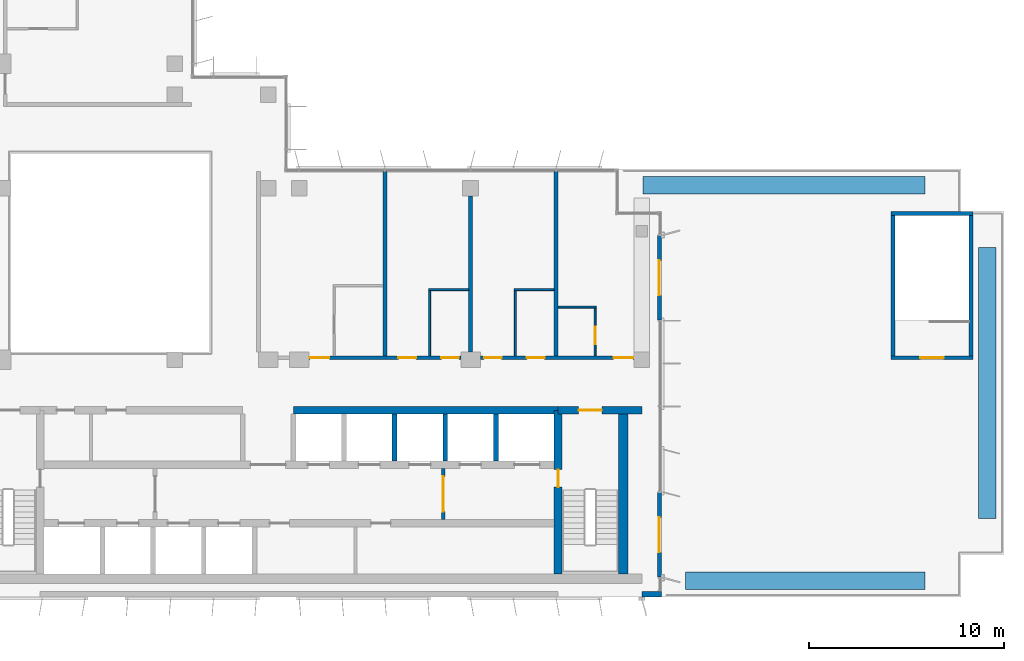
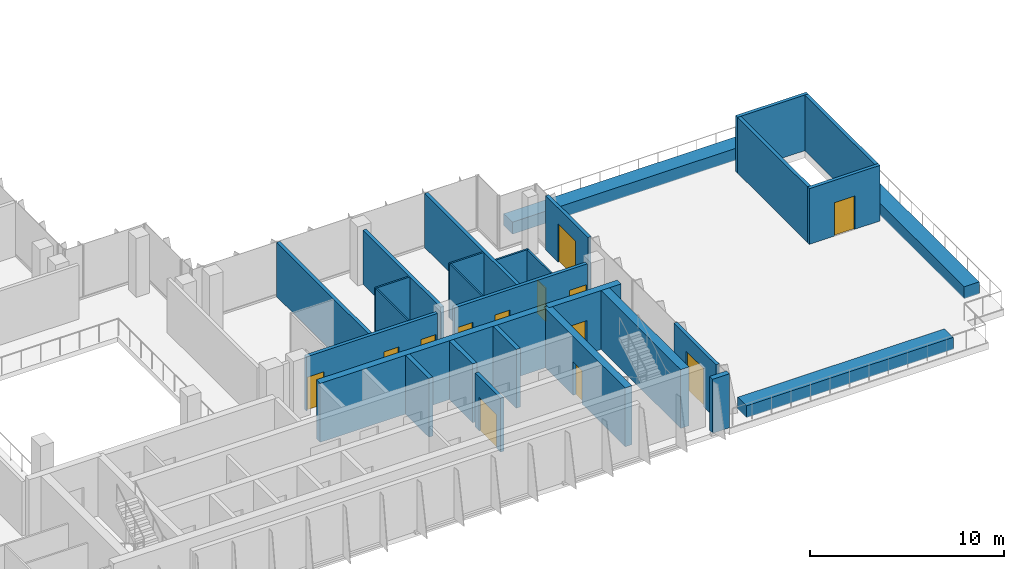
# One storey, part 11 of 17: 29 walls, 13 doors, 13 openings.
"""IFC4 building model written with IfcOpenShell, lengths in metres."""

from ifc_helpers import new_model, si_unit, direction, frame, frame_2d, origin, place, context, subcontext, project, spatial, rectangle, extrude, material, layer, layer_set, type_object, element, fill, save


model = new_model("IFC4")

# Units and contexts
model_context = context("Model", 3, precision=1e-05, world=origin(), true_north=direction((0.0, 1.0)))
body_context = subcontext(model_context, "Body", "Model", "MODEL_VIEW")
ifc_project = project(units=[si_unit("LENGTHUNIT", "METRE"), si_unit("AREAUNIT", "SQUARE_METRE"), si_unit("VOLUMEUNIT", "CUBIC_METRE"), si_unit("PLANEANGLEUNIT", "RADIAN"), si_unit("MASSUNIT", "GRAM", prefix="KILO")], contexts=[model_context])

# Site, building, storey
site_placement = place(None, origin())
site = spatial("IfcSite", under=ifc_project, at=site_placement, CompositionType="ELEMENT")
building_placement = place(site_placement, origin())
building = spatial("IfcBuilding", under=site, at=building_placement, Name="Kemantara Hotel Tower", CompositionType="ELEMENT")
storey_placement = place(building_placement, frame((0.0, 0.0, 222.800048828125)))
storey = spatial("IfcBuildingStorey", under=building, at=storey_placement, Name="L55", CompositionType="ELEMENT", Elevation=222.800048828125)

# Walls
ifc_material_1 = material(Name="Bronze anodised aluminium cladding on insulated steel stud wall", Category="steel")
ifc_layer_1 = layer(ifc_material_1, 0.300048828125)
ifc_layer_set_1 = layer_set([ifc_layer_1], Name="Bronze anodised aluminium cladding on insulated steel stud wall")
wall_type_1 = type_object("IfcWallType", Name="BRONZE METAL-CLAD EXTERNAL WALL 300", PredefinedType="STANDARD", material=ifc_layer_set_1)
wall_1_placement = place(storey_placement, frame((45.0, 0.14990234375, 0.0), z_axis=(0.0, 0.0, 1.0), x_axis=(1.0, 0.0, 0.0)))
element("IfcWall", 1, at=wall_1_placement, inside=storey, type_object=wall_type_1, Name="EXTERNAL WALL L55 T4-R08-3", PredefinedType="STANDARD", context=body_context, shape_type="SweptSolid", body=[
    extrude(rectangle(XDim=1.0, YDim=0.300048828125, at=frame_2d((0.5, 0.0))), origin(), (0.0, 0.0, 1.0), 3.39990234375),
])
ifc_material_2 = material(Name="Concrete fc 60 MPa", Category="concrete")
ifc_layer_2 = layer(ifc_material_2, 0.25)
ifc_layer_set_2 = layer_set([ifc_layer_2], Name="Concrete fc 60 MPa")
wall_type_2 = type_object("IfcWallType", Name="CORE WALL 250 FC60", PredefinedType="SHEAR", material=ifc_layer_set_2)
for number, where, z_axis, x_axis, name in (
    (2, (32.300048828125, 7.0, 0.0), (0.0, 0.0, 1.0), (0.0, 1.0, 0.0), "CORE WALL CW-DN32.3"),
    (3, (34.89990234375, 7.0, 0.0), (0.0, 0.0, 1.0), (0.0, 1.0, 0.0), "CORE WALL CW-DN34.9"),
    (4, (37.5, 7.0, 0.0), (0.0, 0.0, 1.0), (0.0, 1.0, 0.0), "CORE WALL CW-DN37.5"),
):
    element("IfcWall", number, at=place(storey_placement, frame(where, z_axis=z_axis, x_axis=x_axis)), inside=storey, type_object=wall_type_2, Name=name, PredefinedType="SHEAR", context=body_context, shape_type="SweptSolid", body=[
        extrude(rectangle(XDim=2.39990234375, YDim=0.25, at=frame_2d((1.199951171875, 0.0))), origin(), (0.0, 0.0, 1.0), 3.699951171875),
    ])

# Wall, opening, door
ifc_layer_3 = layer(ifc_material_2, 0.39990234375)
ifc_layer_set_3 = layer_set([ifc_layer_3], Name="Concrete fc 60 MPa")
wall_type_3 = type_object("IfcWallType", Name="CORE WALL 400 FC60", PredefinedType="SHEAR", material=ifc_layer_set_3)
wall_2_placement = place(storey_placement, frame((40.699951171875, 9.60009765625, 0.0), z_axis=(0.0, 0.0, 1.0), x_axis=(1.0, 0.0, 0.0)))
wall_2 = element("IfcWall", 5, at=wall_2_placement, inside=storey, type_object=wall_type_3, Name="CORE WALL CW-N2", PredefinedType="SHEAR", context=body_context, shape_type="SweptSolid", body=[
    extrude(rectangle(XDim=4.300048828125, YDim=0.39990234375, at=frame_2d((2.14990234375, 0.0))), origin(), (0.0, 0.0, 1.0), 3.699951171875),
])
opening_1_placement = place(wall_2_placement, frame((1.050048828125, 0.0, 0.0)))
opening_1 = element("IfcOpeningElement", 6, at=opening_1_placement, cuts=wall_2, Name="Opening C34-ST2-C", PredefinedType="OPENING", context=body_context, shape_type="SweptSolid", body=[
    extrude(rectangle(XDim=1.199951171875, YDim=2.10009765625, at=frame_2d((0.60009765625, 1.050048828125))), frame((0.0, 0.2099609375, 0.0), z_axis=(0.0, -1.0, 0.0), x_axis=(1.0, 0.0, 0.0)), (0.0, 0.0, 1.0), 0.419921875),
])
ifc_material_3 = material(Name="Steel fire door", Category="steel")
door_type_1 = type_object("IfcDoorType", Name="Fire door FD90 1200 x 2100", OperationType="NOTDEFINED", PredefinedType="DOOR", material=ifc_material_3)
door_1_placement = place(opening_1_placement, frame((1.199951171875, 0.0, 0.0), z_axis=(0.0, 0.0, 1.0), x_axis=(-1.0, 0.0, 0.0)))
door_1 = element("IfcDoor", 7, at=door_1_placement, inside=storey, type_object=door_type_1, Name="Stair ST2 door to corridor", OperationType="SINGLE_SWING_RIGHT", OverallHeight=2.10009765625, OverallWidth=1.199951171875, PredefinedType="DOOR", context=body_context, shape_type="SweptSolid", body=[
    extrude(rectangle(XDim=1.199951171875, YDim=2.10009765625, at=frame_2d((0.60009765625, 1.050048828125))), frame((0.0, 0.02490234375, 0.0), z_axis=(0.0, -1.0, 0.0), x_axis=(1.0, 0.0, 0.0)), (0.0, 0.0, 1.0), 0.050048828125),
])
fill(opening_1, door_1)

# Wall
wall_3_placement = place(storey_placement, frame((27.10009765625, 9.60009765625, 0.0), z_axis=(0.0, 0.0, 1.0), x_axis=(1.0, 0.0, 0.0)))
element("IfcWall", 8, at=wall_3_placement, inside=storey, type_object=wall_type_3, Name="CORE WALL CW-NN2", PredefinedType="SHEAR", context=body_context, shape_type="SweptSolid", body=[
    extrude(rectangle(XDim=13.599853515625, YDim=0.39990234375, at=frame_2d((6.7998046875, 0.0))), origin(), (0.0, 0.0, 1.0), 3.699951171875),
])

# Wall, opening, door
wall_4_placement = place(storey_placement, frame((40.699951171875, 1.199951171875, 0.0), z_axis=(0.0, 0.0, 1.0), x_axis=(0.0, 1.0, 0.0)))
wall_4 = element("IfcWall", 9, at=wall_4_placement, inside=storey, type_object=wall_type_3, Name="CORE WALL CW-ST2W", PredefinedType="SHEAR", context=body_context, shape_type="SweptSolid", body=[
    extrude(rectangle(XDim=8.400146484375, YDim=0.39990234375, at=frame_2d((4.2001953125, 0.0))), origin(), (0.0, 0.0, 1.0), 3.699951171875),
])
opening_2_placement = place(wall_4_placement, frame((4.449951171875, 0.0, 0.0)))
opening_2 = element("IfcOpeningElement", 10, at=opening_2_placement, cuts=wall_4, Name="Opening C34-ST2-F", PredefinedType="OPENING", context=body_context, shape_type="SweptSolid", body=[
    extrude(rectangle(XDim=0.89990234375, YDim=2.10009765625, at=frame_2d((0.449951171875, 1.050048828125))), frame((0.0, 0.2099609375, 0.0), z_axis=(0.0, -1.0, 0.0), x_axis=(1.0, 0.0, 0.0)), (0.0, 0.0, 1.0), 0.419921875),
])
door_type_2 = type_object("IfcDoorType", Name="Fire door FD90 900 x 2100", OperationType="NOTDEFINED", PredefinedType="DOOR", material=ifc_material_3)
door_2_placement = place(opening_2_placement, frame((0.89990234375, 0.0, 0.0), z_axis=(0.0, 0.0, 1.0), x_axis=(-1.0, 0.0, 0.0)))
door_2 = element("IfcDoor", 11, at=door_2_placement, inside=storey, type_object=door_type_2, Name="Stair ST2 door to firefighting lobby", OperationType="SINGLE_SWING_LEFT", OverallHeight=2.10009765625, OverallWidth=0.89990234375, PredefinedType="DOOR", context=body_context, shape_type="SweptSolid", body=[
    extrude(rectangle(XDim=0.89990234375, YDim=2.10009765625, at=frame_2d((0.449951171875, 1.050048828125))), frame((0.0, 0.02490234375, 0.0), z_axis=(0.0, -1.0, 0.0), x_axis=(1.0, 0.0, 0.0)), (0.0, 0.0, 1.0), 0.050048828125),
])
fill(opening_2, door_2)

# Wall
ifc_layer_4 = layer(ifc_material_2, 0.5)
ifc_layer_set_4 = layer_set([ifc_layer_4], Name="Concrete fc 60 MPa")
wall_type_4 = type_object("IfcWallType", Name="CORE WALL 500 FC60", PredefinedType="SHEAR", material=ifc_layer_set_4)
wall_5_placement = place(storey_placement, frame((44.050048828125, 1.199951171875, 0.0), z_axis=(0.0, 0.0, 1.0), x_axis=(0.0, 1.0, 0.0)))
element("IfcWall", 12, at=wall_5_placement, inside=storey, type_object=wall_type_4, Name="CORE WALL CW-E", PredefinedType="SHEAR", context=body_context, shape_type="SweptSolid", body=[
    extrude(rectangle(XDim=8.60009765625, YDim=0.5, at=frame_2d((4.300048828125, 0.0))), origin(), (0.0, 0.0, 1.0), 3.699951171875),
])

# Wall, openings, doors
ifc_material_4 = material(Name="Gypsum board partition, steel studs and mineral wool, 200 mm", Category="steel")
ifc_layer_5 = layer(ifc_material_4, 0.199951171875)
ifc_layer_set_5 = layer_set([ifc_layer_5], Name="Gypsum board partition, steel studs and mineral wool, 200 mm")
wall_type_5 = type_object("IfcWallType", Name="CORRIDOR WALL 200", PredefinedType="PARTITIONING", material=ifc_layer_set_5)
wall_6_placement = place(storey_placement, frame((27.900146484375, 12.300048828125, 0.0), z_axis=(0.0, 0.0, 1.0), x_axis=(1.0, 0.0, 0.0)))
wall_6 = element("IfcWall", 13, at=wall_6_placement, inside=storey, type_object=wall_type_5, Name="CORRIDOR WALL 200 002", PredefinedType="PARTITIONING", context=body_context, shape_type="SweptSolid", body=[
    extrude(rectangle(XDim=7.7998046875, YDim=0.199951171875, at=frame_2d((3.89990234375, 0.0))), origin(), (0.0, 0.0, 1.0), 3.39990234375),
])
opening_3_placement = place(wall_6_placement, frame((0.0498046875, 0.0, 0.0)))
opening_3 = element("IfcOpeningElement", 14, at=opening_3_placement, cuts=wall_6, Name="Opening F27-001", PredefinedType="OPENING", context=body_context, shape_type="SweptSolid", body=[
    extrude(rectangle(XDim=1.0, YDim=2.10009765625, at=frame_2d((0.5, 1.050048828125))), frame((0.0, 0.10986328125, 0.0), z_axis=(0.0, -1.0, 0.0), x_axis=(1.0, 0.0, 0.0)), (0.0, 0.0, 1.0), 0.219970703125),
])
opening_4_placement = place(wall_6_placement, frame((4.599853515625, 0.0, 0.0)))
opening_4 = element("IfcOpeningElement", 15, at=opening_4_placement, cuts=wall_6, Name="Opening F27-003", PredefinedType="OPENING", context=body_context, shape_type="SweptSolid", body=[
    extrude(rectangle(XDim=0.89990234375, YDim=2.10009765625, at=frame_2d((0.449951171875, 1.050048828125))), frame((0.0, 0.10986328125, 0.0), z_axis=(0.0, -1.0, 0.0), x_axis=(1.0, 0.0, 0.0)), (0.0, 0.0, 1.0), 0.219970703125),
])
opening_5_placement = place(wall_6_placement, frame((6.7998046875, 0.0, 0.0)))
opening_5 = element("IfcOpeningElement", 16, at=opening_5_placement, cuts=wall_6, Name="Opening F27-004", PredefinedType="OPENING", context=body_context, shape_type="SweptSolid", body=[
    extrude(rectangle(XDim=0.89990234375, YDim=2.10009765625, at=frame_2d((0.449951171875, 1.050048828125))), frame((0.0, 0.10986328125, 0.0), z_axis=(0.0, -1.0, 0.0), x_axis=(1.0, 0.0, 0.0)), (0.0, 0.0, 1.0), 0.219970703125),
])
ifc_material_5 = material(Name="Hardwood veneer door leaf with steel frame", Category="steel")
door_type_3 = type_object("IfcDoorType", Name="GUEST ROOM DOOR 1000 X 2100 FD30S", OperationType="NOTDEFINED", PredefinedType="DOOR", material=ifc_material_5)
door_3_placement = place(opening_3_placement, origin())
door_3 = element("IfcDoor", 17, at=door_3_placement, inside=storey, type_object=door_type_3, Name="GUEST ROOM DOOR F27-001", OperationType="SINGLE_SWING_LEFT", OverallHeight=2.10009765625, OverallWidth=1.0, PredefinedType="DOOR", context=body_context, shape_type="SweptSolid", body=[
    extrude(rectangle(XDim=1.0, YDim=2.10009765625, at=frame_2d((0.5, 1.050048828125))), frame((0.0, 0.02490234375, 0.0), z_axis=(0.0, -1.0, 0.0), x_axis=(1.0, 0.0, 0.0)), (0.0, 0.0, 1.0), 0.050048828125),
])
fill(opening_3, door_3)
ifc_material_6 = material(Name="Steel door leaf with steel frame", Category="steel")
door_type_4 = type_object("IfcDoorType", Name="SERVICE ROOM DOOR 900 X 2100 FD60", OperationType="NOTDEFINED", PredefinedType="DOOR", material=ifc_material_6)
door_4_placement = place(opening_4_placement, origin())
door_4 = element("IfcDoor", 18, at=door_4_placement, inside=storey, type_object=door_type_4, Name="SERVICE ROOM DOOR F27-003", OperationType="SINGLE_SWING_LEFT", OverallHeight=2.10009765625, OverallWidth=0.89990234375, PredefinedType="DOOR", context=body_context, shape_type="SweptSolid", body=[
    extrude(rectangle(XDim=0.89990234375, YDim=2.10009765625, at=frame_2d((0.449951171875, 1.050048828125))), frame((0.0, 0.02490234375, 0.0), z_axis=(0.0, -1.0, 0.0), x_axis=(1.0, 0.0, 0.0)), (0.0, 0.0, 1.0), 0.050048828125),
])
fill(opening_4, door_4)
door_5_placement = place(opening_5_placement, origin())
door_5 = element("IfcDoor", 19, at=door_5_placement, inside=storey, type_object=door_type_4, Name="SERVICE ROOM DOOR F27-004", OperationType="SINGLE_SWING_RIGHT", OverallHeight=2.10009765625, OverallWidth=0.89990234375, PredefinedType="DOOR", context=body_context, shape_type="SweptSolid", body=[
    extrude(rectangle(XDim=0.89990234375, YDim=2.10009765625, at=frame_2d((0.449951171875, 1.050048828125))), frame((0.0, 0.02490234375, 0.0), z_axis=(0.0, -1.0, 0.0), x_axis=(1.0, 0.0, 0.0)), (0.0, 0.0, 1.0), 0.050048828125),
])
fill(opening_5, door_5)

wall_7_placement = place(storey_placement, frame((36.7001953125, 12.300048828125, 0.0), z_axis=(0.0, 0.0, 1.0), x_axis=(1.0, 0.0, 0.0)))
wall_7 = element("IfcWall", 20, at=wall_7_placement, inside=storey, type_object=wall_type_5, Name="CORRIDOR WALL 200 003", PredefinedType="PARTITIONING", context=body_context, shape_type="SweptSolid", body=[
    extrude(rectangle(XDim=7.899658203125, YDim=0.199951171875, at=frame_2d((3.94970703125, 0.0))), origin(), (0.0, 0.0, 1.0), 3.39990234375),
])
opening_6_placement = place(wall_7_placement, frame((0.199951171875, 0.0, 0.0)))
opening_6 = element("IfcOpeningElement", 21, at=opening_6_placement, cuts=wall_7, Name="Opening F27-005", PredefinedType="OPENING", context=body_context, shape_type="SweptSolid", body=[
    extrude(rectangle(XDim=0.89990234375, YDim=2.10009765625, at=frame_2d((0.449951171875, 1.050048828125))), frame((0.0, 0.10986328125, 0.0), z_axis=(0.0, -1.0, 0.0), x_axis=(1.0, 0.0, 0.0)), (0.0, 0.0, 1.0), 0.219970703125),
])
opening_7_placement = place(wall_7_placement, frame((2.39990234375, 0.0, 0.0)))
opening_7 = element("IfcOpeningElement", 22, at=opening_7_placement, cuts=wall_7, Name="Opening F27-006", PredefinedType="OPENING", context=body_context, shape_type="SweptSolid", body=[
    extrude(rectangle(XDim=0.89990234375, YDim=2.10009765625, at=frame_2d((0.449951171875, 1.050048828125))), frame((0.0, 0.10986328125, 0.0), z_axis=(0.0, -1.0, 0.0), x_axis=(1.0, 0.0, 0.0)), (0.0, 0.0, 1.0), 0.219970703125),
])
opening_8_placement = place(wall_7_placement, frame((6.849853515625, 0.0, 0.0)))
opening_8 = element("IfcOpeningElement", 23, at=opening_8_placement, cuts=wall_7, Name="Opening F27-007", PredefinedType="OPENING", context=body_context, shape_type="SweptSolid", body=[
    extrude(rectangle(XDim=1.0, YDim=2.10009765625, at=frame_2d((0.5, 1.050048828125))), frame((0.0, 0.10986328125, 0.0), z_axis=(0.0, -1.0, 0.0), x_axis=(1.0, 0.0, 0.0)), (0.0, 0.0, 1.0), 0.219970703125),
])
door_6_placement = place(opening_8_placement, origin())
door_6 = element("IfcDoor", 24, at=door_6_placement, inside=storey, type_object=door_type_3, Name="GUEST ROOM DOOR F27-007", OperationType="SINGLE_SWING_RIGHT", OverallHeight=2.10009765625, OverallWidth=1.0, PredefinedType="DOOR", context=body_context, shape_type="SweptSolid", body=[
    extrude(rectangle(XDim=1.0, YDim=2.10009765625, at=frame_2d((0.5, 1.050048828125))), frame((0.0, 0.02490234375, 0.0), z_axis=(0.0, -1.0, 0.0), x_axis=(1.0, 0.0, 0.0)), (0.0, 0.0, 1.0), 0.050048828125),
])
fill(opening_8, door_6)
door_7_placement = place(opening_6_placement, origin())
door_7 = element("IfcDoor", 25, at=door_7_placement, inside=storey, type_object=door_type_4, Name="SERVICE ROOM DOOR F27-005", OperationType="SINGLE_SWING_LEFT", OverallHeight=2.10009765625, OverallWidth=0.89990234375, PredefinedType="DOOR", context=body_context, shape_type="SweptSolid", body=[
    extrude(rectangle(XDim=0.89990234375, YDim=2.10009765625, at=frame_2d((0.449951171875, 1.050048828125))), frame((0.0, 0.02490234375, 0.0), z_axis=(0.0, -1.0, 0.0), x_axis=(1.0, 0.0, 0.0)), (0.0, 0.0, 1.0), 0.050048828125),
])
fill(opening_6, door_7)
door_8_placement = place(opening_7_placement, origin())
door_8 = element("IfcDoor", 26, at=door_8_placement, inside=storey, type_object=door_type_4, Name="SERVICE ROOM DOOR F27-006", OperationType="SINGLE_SWING_RIGHT", OverallHeight=2.10009765625, OverallWidth=0.89990234375, PredefinedType="DOOR", context=body_context, shape_type="SweptSolid", body=[
    extrude(rectangle(XDim=0.89990234375, YDim=2.10009765625, at=frame_2d((0.449951171875, 1.050048828125))), frame((0.0, 0.02490234375, 0.0), z_axis=(0.0, -1.0, 0.0), x_axis=(1.0, 0.0, 0.0)), (0.0, 0.0, 1.0), 0.050048828125),
])
fill(opening_7, door_8)

# Wall, opening, door
ifc_material_7 = material(Name="Concrete fc 40 MPa", Category="concrete")
ifc_layer_6 = layer(ifc_material_7, 0.199951171875)
ifc_layer_set_6 = layer_set([ifc_layer_6], Name="Concrete fc 40 MPa")
wall_type_6 = type_object("IfcWallType", Name="Concrete stair wall 200 mm", PredefinedType="SHEAR", material=ifc_layer_set_6)
wall_8_placement = place(storey_placement, frame((57.800048828125, 12.300048828125, 0.0), z_axis=(0.0, 0.0, 1.0), x_axis=(1.0, 0.0, 0.0)))
wall_8 = element("IfcWall", 27, at=wall_8_placement, inside=storey, type_object=wall_type_6, Name="Stair ST3 enclosure wall with door", PredefinedType="SHEAR", context=body_context, shape_type="SweptSolid", body=[
    extrude(rectangle(XDim=4.199951171875, YDim=0.199951171875, at=frame_2d((2.10009765625, 0.0))), origin(), (0.0, 0.0, 1.0), 3.5),
])
opening_9_placement = place(wall_8_placement, frame((1.5, 0.0, 0.0)))
opening_9 = element("IfcOpeningElement", 28, at=opening_9_placement, cuts=wall_8, Name="Opening ST3-C", PredefinedType="OPENING", context=body_context, shape_type="SweptSolid", body=[
    extrude(rectangle(XDim=1.199951171875, YDim=2.10009765625, at=frame_2d((0.60009765625, 1.050048828125))), frame((0.0, 0.10986328125, 0.0), z_axis=(0.0, -1.0, 0.0), x_axis=(1.0, 0.0, 0.0)), (0.0, 0.0, 1.0), 0.219970703125),
])
door_9_placement = place(opening_9_placement, frame((1.199951171875, 0.0, 0.0), z_axis=(0.0, 0.0, 1.0), x_axis=(-1.0, 0.0, 0.0)))
door_9 = element("IfcDoor", 29, at=door_9_placement, inside=storey, type_object=door_type_1, Name="Stair ST3 door to terrace", OperationType="SINGLE_SWING_LEFT", OverallHeight=2.10009765625, OverallWidth=1.199951171875, PredefinedType="DOOR", context=body_context, shape_type="SweptSolid", body=[
    extrude(rectangle(XDim=1.199951171875, YDim=2.10009765625, at=frame_2d((0.60009765625, 1.050048828125))), frame((0.0, 0.02490234375, 0.0), z_axis=(0.0, -1.0, 0.0), x_axis=(1.0, 0.0, 0.0)), (0.0, 0.0, 1.0), 0.050048828125),
])
fill(opening_9, door_9)

# Walls
wall_9_placement = place(storey_placement, frame((57.800048828125, 19.699951171875, 0.0), z_axis=(0.0, 0.0, 1.0), x_axis=(1.0, 0.0, 0.0)))
element("IfcWall", 30, at=wall_9_placement, inside=storey, type_object=wall_type_6, Name="Stair ST3 enclosure wall N", PredefinedType="SHEAR", context=body_context, shape_type="SweptSolid", body=[
    extrude(rectangle(XDim=4.199951171875, YDim=0.199951171875, at=frame_2d((2.10009765625, 0.0))), origin(), (0.0, 0.0, 1.0), 3.5),
])
for number, where, z_axis, x_axis, name in (
    (31, (57.89990234375, 12.39990234375, 0.0), (0.0, 0.0, 1.0), (0.0, 1.0, 0.0), "Stair ST3 enclosure wall W"),
    (32, (61.89990234375, 12.39990234375, 0.0), (0.0, 0.0, 1.0), (0.0, 1.0, 0.0), "Stair ST3 enclosure wall E"),
):
    element("IfcWall", number, at=place(storey_placement, frame(where, z_axis=z_axis, x_axis=x_axis)), inside=storey, type_object=wall_type_6, Name=name, PredefinedType="SHEAR", context=body_context, shape_type="SweptSolid", body=[
        extrude(rectangle(XDim=7.2001953125, YDim=0.199951171875, at=frame_2d((3.60009765625, 0.0))), origin(), (0.0, 0.0, 1.0), 3.5),
    ])
ifc_layer_7 = layer(ifc_material_4, 0.199951171875)
ifc_layer_set_7 = layer_set([ifc_layer_7], Name="Gypsum board partition, steel studs and mineral wool, 200 mm")
wall_type_7 = type_object("IfcWallType", Name="GUEST ROOM PARTY WALL 200", PredefinedType="PARTITIONING", material=ifc_layer_set_7)
wall_10_placement = place(storey_placement, frame((31.800048828125, 12.39990234375, 0.0), z_axis=(0.0, 0.0, 1.0), x_axis=(0.0, 1.0, 0.0)))
element("IfcWall", 33, at=wall_10_placement, inside=storey, type_object=wall_type_7, Name="GUEST ROOM PARTY WALL 200 005", PredefinedType="PARTITIONING", context=body_context, shape_type="SweptSolid", body=[
    extrude(rectangle(XDim=9.47021484375, YDim=0.199951171875, at=frame_2d((4.735107421875, 0.0))), origin(), (0.0, 0.0, 1.0), 3.39990234375),
])
wall_11_placement = place(storey_placement, frame((36.199951171875, 12.60009765625, 0.0), z_axis=(0.0, 0.0, 1.0), x_axis=(0.0, 1.0, 0.0)))
element("IfcWall", 34, at=wall_11_placement, inside=storey, type_object=wall_type_7, Name="GUEST ROOM PARTY WALL 200 006", PredefinedType="PARTITIONING", context=body_context, shape_type="SweptSolid", body=[
    extrude(rectangle(XDim=7.999755859375, YDim=0.199951171875, at=frame_2d((4.0, 0.0))), origin(), (0.0, 0.0, 1.0), 3.39990234375),
])
wall_12_placement = place(storey_placement, frame((40.60009765625, 12.39990234375, 0.0), z_axis=(0.0, 0.0, 1.0), x_axis=(0.0, 1.0, 0.0)))
element("IfcWall", 35, at=wall_12_placement, inside=storey, type_object=wall_type_7, Name="GUEST ROOM PARTY WALL 200 007", PredefinedType="PARTITIONING", context=body_context, shape_type="SweptSolid", body=[
    extrude(rectangle(XDim=9.47021484375, YDim=0.199951171875, at=frame_2d((4.735107421875, 0.0))), origin(), (0.0, 0.0, 1.0), 3.39990234375),
])

# Wall, opening, door
ifc_material_8 = material(Name="Gypsum board shaft wall")
ifc_layer_8 = layer(ifc_material_8, 0.199951171875)
ifc_layer_set_8 = layer_set([ifc_layer_8], Name="Gypsum board shaft wall")
wall_type_8 = type_object("IfcWallType", Name="Gypsum board shaft wall 200 mm", PredefinedType="PARTITIONING", material=ifc_layer_set_8)
wall_13_placement = place(storey_placement, frame((34.800048828125, 4.0, 0.0), z_axis=(0.0, 0.0, 1.0), x_axis=(0.0, 1.0, 0.0)))
wall_13 = element("IfcWall", 36, at=wall_13_placement, inside=storey, type_object=wall_type_8, Name="Firefighting lobby partition east", PredefinedType="PARTITIONING", context=body_context, shape_type="SweptSolid", body=[
    extrude(rectangle(XDim=2.60009765625, YDim=0.199951171875, at=frame_2d((1.300048828125, 0.0))), origin(), (0.0, 0.0, 1.0), 3.39990234375),
])
opening_10_placement = place(wall_13_placement, frame((0.39990234375, 0.0, 0.0)))
opening_10 = element("IfcOpeningElement", 37, at=opening_10_placement, cuts=wall_13, Name="Opening C34-FFE", PredefinedType="OPENING", context=body_context, shape_type="SweptSolid", body=[
    extrude(rectangle(XDim=1.800048828125, YDim=2.10009765625, at=frame_2d((0.89990234375, 1.050048828125))), frame((0.0, 0.10986328125, 0.0), z_axis=(0.0, -1.0, 0.0), x_axis=(1.0, 0.0, 0.0)), (0.0, 0.0, 1.0), 0.219970703125),
])
door_type_5 = type_object("IfcDoorType", Name="Fire door pair FD60 1800 x 2100", OperationType="DOUBLE_DOOR_SINGLE_SWING", PredefinedType="DOOR", material=ifc_material_3)
door_10_placement = place(opening_10_placement, frame((1.800048828125, 0.0, 0.0), z_axis=(0.0, 0.0, 1.0), x_axis=(-1.0, 0.0, 0.0)))
door_10 = element("IfcDoor", 38, at=door_10_placement, inside=storey, type_object=door_type_5, Name="Firefighting lobby door east", OperationType="DOUBLE_DOOR_SINGLE_SWING", OverallHeight=2.10009765625, OverallWidth=1.800048828125, PredefinedType="DOOR", context=body_context, shape_type="SweptSolid", body=[
    extrude(rectangle(XDim=1.800048828125, YDim=2.10009765625, at=frame_2d((0.89990234375, 1.050048828125))), frame((0.0, 0.02490234375, 0.0), z_axis=(0.0, -1.0, 0.0), x_axis=(1.0, 0.0, 0.0)), (0.0, 0.0, 1.0), 0.050048828125),
])
fill(opening_10, door_10)

# Walls
ifc_material_9 = material(Name="Concrete K-350 (fc 29 MPa)", Category="concrete")
ifc_layer_9 = layer(ifc_material_9, 0.89990234375)
ifc_layer_set_9 = layer_set([ifc_layer_9], Name="Concrete K-350 (fc 29 MPa)")
wall_type_9 = type_object("IfcWallType", Name="PLANTER, RAISED CONCRETE TROUGH 900x700", PredefinedType="STANDARD", material=ifc_layer_set_9)
wall_14_placement = place(storey_placement, frame((45.050048828125, 21.14990234375, -0.050048828125), z_axis=(0.0, 0.0, 1.0), x_axis=(1.0, 0.0, 0.0)))
element("IfcWall", 39, at=wall_14_placement, inside=storey, type_object=wall_type_9, Name="PLANTER TERRACE-S3-1.1", PredefinedType="STANDARD", context=body_context, shape_type="SweptSolid", body=[
    extrude(rectangle(XDim=14.5, YDim=0.89990234375, at=frame_2d((7.25, 0.0))), origin(), (0.0, 0.0, 1.0), 0.75),
])
wall_15_placement = place(storey_placement, frame((62.75, 17.949951171875, -0.050048828125), z_axis=(0.0, 0.0, 1.0), x_axis=(0.0, -1.0, 0.0)))
element("IfcWall", 40, at=wall_15_placement, inside=storey, type_object=wall_type_9, Name="PLANTER TERRACE-S3-1.2", PredefinedType="STANDARD", context=body_context, shape_type="SweptSolid", body=[
    extrude(rectangle(XDim=13.89990234375, YDim=0.89990234375, at=frame_2d((6.949951171875, 0.0))), origin(), (0.0, 0.0, 1.0), 0.75),
])
wall_16_placement = place(storey_placement, frame((59.550048828125, 0.85009765625, -0.050048828125), z_axis=(0.0, 0.0, 1.0), x_axis=(-1.0, 0.0, 0.0)))
element("IfcWall", 41, at=wall_16_placement, inside=storey, type_object=wall_type_9, Name="PLANTER TERRACE-S3-1.3", PredefinedType="STANDARD", context=body_context, shape_type="SweptSolid", body=[
    extrude(rectangle(XDim=12.300048828125, YDim=0.89990234375, at=frame_2d((6.14990234375, 0.0))), origin(), (0.0, 0.0, 1.0), 0.75),
])
ifc_material_10 = material(Name="Gypsum board partition on steel studs, 100 mm", Category="steel")
ifc_layer_10 = layer(ifc_material_10, 0.10009765625)
ifc_layer_set_10 = layer_set([ifc_layer_10], Name="Gypsum board partition on steel studs, 100 mm")
wall_type_10 = type_object("IfcWallType", Name="ROOM PARTITION 100", PredefinedType="PARTITIONING", material=ifc_layer_set_10)
for number, where, z_axis, x_axis, name in (
    (42, (34.050048828125, 15.800048828125, 0.0), (0.0, 0.0, 1.0), (1.0, 0.0, 0.0), "ROOM PARTITION 100 030"),
    (43, (38.449951171875, 15.800048828125, 0.0), (0.0, 0.0, 1.0), (1.0, 0.0, 0.0), "ROOM PARTITION 100 031"),
):
    element("IfcWall", number, at=place(storey_placement, frame(where, z_axis=z_axis, x_axis=x_axis)), inside=storey, type_object=wall_type_10, Name=name, PredefinedType="PARTITIONING", context=body_context, shape_type="SweptSolid", body=[
        extrude(rectangle(XDim=2.050048828125, YDim=0.10009765625, at=frame_2d((1.02490234375, 0.0))), origin(), (0.0, 0.0, 1.0), 3.39990234375),
    ])
for number, where, z_axis, x_axis, name in (
    (44, (34.10009765625, 12.39990234375, 0.0), (0.0, 0.0, 1.0), (0.0, 1.0, 0.0), "ROOM PARTITION 100 032"),
    (45, (38.5, 12.39990234375, 0.0), (0.0, 0.0, 1.0), (0.0, 1.0, 0.0), "ROOM PARTITION 100 033"),
):
    element("IfcWall", number, at=place(storey_placement, frame(where, z_axis=z_axis, x_axis=x_axis)), inside=storey, type_object=wall_type_10, Name=name, PredefinedType="PARTITIONING", context=body_context, shape_type="SweptSolid", body=[
        extrude(rectangle(XDim=3.35009765625, YDim=0.10009765625, at=frame_2d((1.675048828125, 0.0))), origin(), (0.0, 0.0, 1.0), 3.39990234375),
    ])
wall_17_placement = place(storey_placement, frame((40.699951171875, 14.89990234375, 0.0), z_axis=(0.0, 0.0, 1.0), x_axis=(1.0, 0.0, 0.0)))
element("IfcWall", 46, at=wall_17_placement, inside=storey, type_object=wall_type_10, Name="ROOM PARTITION 100 034", PredefinedType="PARTITIONING", context=body_context, shape_type="SweptSolid", body=[
    extrude(rectangle(XDim=1.949951171875, YDim=0.10009765625, at=frame_2d((0.97509765625, 0.0))), origin(), (0.0, 0.0, 1.0), 3.39990234375),
])

# Wall, opening, door
wall_18_placement = place(storey_placement, frame((42.60009765625, 12.39990234375, 0.0), z_axis=(0.0, 0.0, 1.0), x_axis=(0.0, 1.0, 0.0)))
wall_18 = element("IfcWall", 47, at=wall_18_placement, inside=storey, type_object=wall_type_10, Name="ROOM PARTITION 100 035", PredefinedType="PARTITIONING", context=body_context, shape_type="SweptSolid", body=[
    extrude(rectangle(XDim=2.4501953125, YDim=0.10009765625, at=frame_2d((1.22509765625, 0.0))), origin(), (0.0, 0.0, 1.0), 3.39990234375),
])
opening_11_placement = place(wall_18_placement, frame((0.60009765625, 0.0, 0.0)))
opening_11 = element("IfcOpeningElement", 48, at=opening_11_placement, cuts=wall_18, Name="Opening F27-008", PredefinedType="OPENING", context=body_context, shape_type="SweptSolid", body=[
    extrude(rectangle(XDim=0.89990234375, YDim=2.10009765625, at=frame_2d((0.449951171875, 1.050048828125))), frame((0.0, 0.06005859375, 0.0), z_axis=(0.0, -1.0, 0.0), x_axis=(1.0, 0.0, 0.0)), (0.0, 0.0, 1.0), 0.1201171875),
])
door_type_6 = type_object("IfcDoorType", Name="BATHROOM DOOR 900 X 2100", OperationType="NOTDEFINED", PredefinedType="DOOR", material=ifc_material_5)
door_11_placement = place(opening_11_placement, origin())
door_11 = element("IfcDoor", 49, at=door_11_placement, inside=storey, type_object=door_type_6, Name="BATHROOM DOOR F27-008", OperationType="SINGLE_SWING_LEFT", OverallHeight=2.10009765625, OverallWidth=0.89990234375, PredefinedType="DOOR", context=body_context, shape_type="SweptSolid", body=[
    extrude(rectangle(XDim=0.89990234375, YDim=2.10009765625, at=frame_2d((0.449951171875, 1.050048828125))), frame((0.0, 0.02490234375, 0.0), z_axis=(0.0, -1.0, 0.0), x_axis=(1.0, 0.0, 0.0)), (0.0, 0.0, 1.0), 0.050048828125),
])
fill(opening_11, door_11)

ifc_material_11 = material(Name="Bronze ceramic cladding on insulated steel stud wall", Category="steel")
ifc_layer_11 = layer(ifc_material_11, 0.199951171875)
ifc_layer_set_11 = layer_set([ifc_layer_11], Name="Bronze ceramic cladding on insulated steel stud wall")
wall_type_11 = type_object("IfcWallType", Name="TERRACE DOOR BAY WALL 200", PredefinedType="STANDARD", material=ifc_layer_set_11)
wall_19_placement = place(storey_placement, frame((45.89990234375, 1.030029296875, 0.0), z_axis=(0.0, 0.0, 1.0), x_axis=(0.0, 1.0, 0.0)))
wall_19 = element("IfcWall", 50, at=wall_19_placement, inside=storey, type_object=wall_type_11, Name="TERRACE DOOR BAY WALL L55 T4-R09-1", PredefinedType="STANDARD", context=body_context, shape_type="SweptSolid", body=[
    extrude(rectangle(XDim=4.340087890625, YDim=0.199951171875, at=frame_2d((2.169921875, 0.0))), origin(), (0.0, 0.0, 1.0), 3.39990234375),
])
opening_12_placement = place(wall_19_placement, frame((1.27001953125, 0.0, 0.0)))
opening_12 = element("IfcOpeningElement", 51, at=opening_12_placement, cuts=wall_19, Name="Opening TD-L55-01", PredefinedType="OPENING", context=body_context, shape_type="SweptSolid", body=[
    extrude(rectangle(XDim=1.800048828125, YDim=2.39990234375, at=frame_2d((0.89990234375, 1.199951171875))), frame((0.0, 0.10986328125, 0.0), z_axis=(0.0, -1.0, 0.0), x_axis=(1.0, 0.0, 0.0)), (0.0, 0.0, 1.0), 0.219970703125),
])
ifc_material_12 = material(Name="Toughened tinted glass in bronze anodised aluminium frame", Category="aluminium")
door_type_7 = type_object("IfcDoorType", Name="TERRACE DOOR, DOUBLE LEAF GLAZED 1800x2400", OperationType="DOUBLE_DOOR_SINGLE_SWING", PredefinedType="DOOR", material=ifc_material_12)
door_12_placement = place(opening_12_placement, origin())
door_12 = element("IfcDoor", 52, at=door_12_placement, inside=storey, type_object=door_type_7, Name="TERRACE DOOR L55 T4-R09-1", OperationType="SINGLE_SWING_LEFT", OverallHeight=2.39990234375, OverallWidth=1.800048828125, PredefinedType="DOOR", context=body_context, shape_type="SweptSolid", body=[
    extrude(rectangle(XDim=1.800048828125, YDim=2.39990234375, at=frame_2d((0.89990234375, 1.199951171875))), frame((0.0, 0.02490234375, 0.0), z_axis=(0.0, -1.0, 0.0), x_axis=(1.0, 0.0, 0.0)), (0.0, 0.0, 1.0), 0.050048828125),
])
fill(opening_12, door_12)

wall_20_placement = place(storey_placement, frame((45.89990234375, 14.22998046875, 0.0), z_axis=(0.0, 0.0, 1.0), x_axis=(0.0, 1.0, 0.0)))
wall_20 = element("IfcWall", 53, at=wall_20_placement, inside=storey, type_object=wall_type_11, Name="TERRACE DOOR BAY WALL L55 T4-R09-2", PredefinedType="STANDARD", context=body_context, shape_type="SweptSolid", body=[
    extrude(rectangle(XDim=4.340087890625, YDim=0.199951171875, at=frame_2d((2.169921875, 0.0))), origin(), (0.0, 0.0, 1.0), 3.39990234375),
])
opening_13_placement = place(wall_20_placement, frame((1.27001953125, 0.0, 0.0)))
opening_13 = element("IfcOpeningElement", 54, at=opening_13_placement, cuts=wall_20, Name="Opening TD-L55-02", PredefinedType="OPENING", context=body_context, shape_type="SweptSolid", body=[
    extrude(rectangle(XDim=1.800048828125, YDim=2.39990234375, at=frame_2d((0.89990234375, 1.199951171875))), frame((0.0, 0.10986328125, 0.0), z_axis=(0.0, -1.0, 0.0), x_axis=(1.0, 0.0, 0.0)), (0.0, 0.0, 1.0), 0.219970703125),
])
door_13_placement = place(opening_13_placement, origin())
door_13 = element("IfcDoor", 55, at=door_13_placement, inside=storey, type_object=door_type_7, Name="TERRACE DOOR L55 T4-R09-2", OperationType="SINGLE_SWING_LEFT", OverallHeight=2.39990234375, OverallWidth=1.800048828125, PredefinedType="DOOR", context=body_context, shape_type="SweptSolid", body=[
    extrude(rectangle(XDim=1.800048828125, YDim=2.39990234375, at=frame_2d((0.89990234375, 1.199951171875))), frame((0.0, 0.02490234375, 0.0), z_axis=(0.0, -1.0, 0.0), x_axis=(1.0, 0.0, 0.0)), (0.0, 0.0, 1.0), 0.050048828125),
])
fill(opening_13, door_13)

save(model, "model.ifc")
